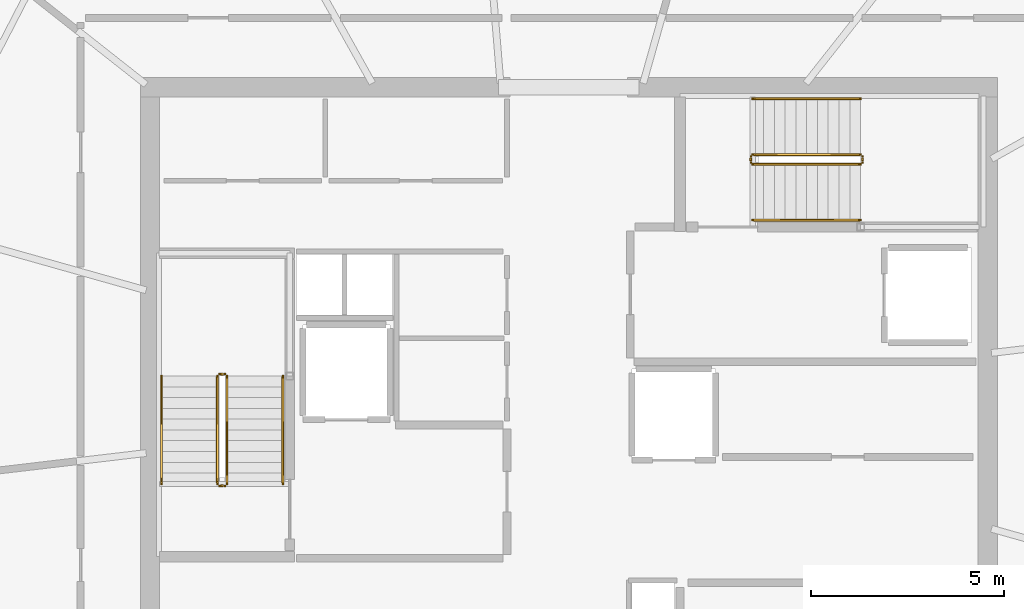
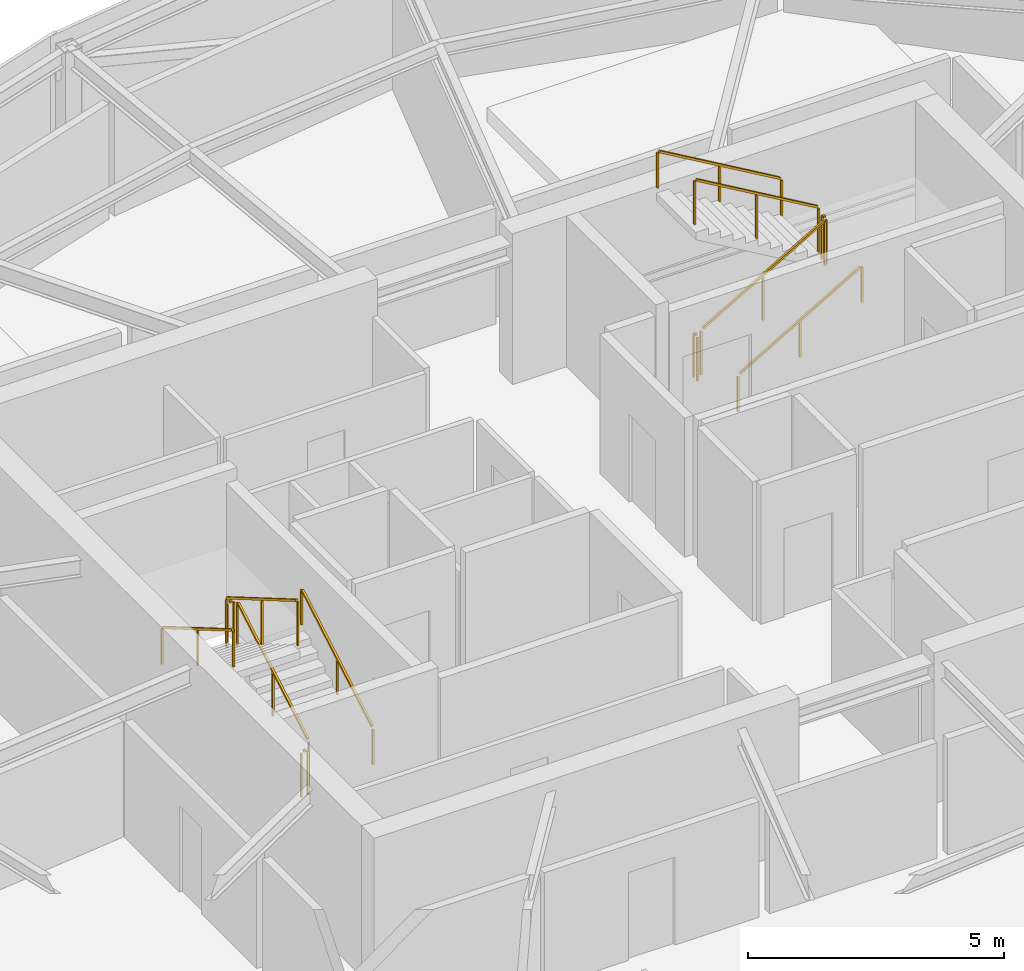
# One storey, part 10 of 10: 12 railings.
"""IFC4 building model written with IfcOpenShell, lengths in metres."""

from ifc_helpers import new_model, si_unit, direction, frame, origin, origin_2d, place, context, subcontext, project, spatial, rectangle, extrude, material, type_object, element, save


model = new_model("IFC4")

# Units and contexts
model_context = context("Model", 3, precision=1e-05, world=origin(), true_north=direction((0.0, 1.0)))
body_context = subcontext(model_context, "Body", "Model", "MODEL_VIEW")
ifc_project = project(units=[si_unit("LENGTHUNIT", "METRE"), si_unit("AREAUNIT", "SQUARE_METRE"), si_unit("VOLUMEUNIT", "CUBIC_METRE"), si_unit("PLANEANGLEUNIT", "RADIAN"), si_unit("MASSUNIT", "GRAM", prefix="KILO")], contexts=[model_context])

# Site, building, storey
site_placement = place(None, origin())
site = spatial("IfcSite", under=ifc_project, at=site_placement, CompositionType="ELEMENT")
building_placement = place(site_placement, origin())
building = spatial("IfcBuilding", under=site, at=building_placement, Name="Kazma Halo Residences", CompositionType="ELEMENT")
storey_placement = place(building_placement, frame((0.0, 0.0, 366.800048828125)))
storey = spatial("IfcBuildingStorey", under=building, at=storey_placement, Name="L92", CompositionType="ELEMENT", Elevation=366.800048828125)

# Railings
ifc_material_1 = material(Name="Painted Steel S355", Category="steel")
railing_type_1 = type_object("IfcRailingType", Name="RLG-STAIR-GRD-1100", PredefinedType="GUARDRAIL", material=ifc_material_1)
railing_1_placement = place(storey_placement, frame((39.550048828125, 39.949951171875, 0.16357421875)))
element("IfcRailing", 1, at=railing_1_placement, inside=storey, type_object=railing_type_1, Name="L92 ST-01 stair guard 1", PredefinedType="GUARDRAIL", context=body_context, shape_type="SweptSolid", body=[
    extrude(rectangle(XDim=0.050048828125, YDim=0.050048828125, at=origin_2d()), frame((0.0, 0.03662109375, 1.096435546875), z_axis=(0.0, 0.863360870873, 0.504586966384), x_axis=(-1.0, 0.0, 0.0)), (0.0, 0.0, 1.0), 3.158203125),
    extrude(rectangle(XDim=0.0400390625, YDim=0.0400390625, at=origin_2d()), origin(), (0.0, 0.0, 1.0), 1.0380859375),
    extrude(rectangle(XDim=0.0400390625, YDim=0.0400390625, at=origin_2d()), frame((0.0, 1.39990234375, 0.818359375)), (0.0, 0.0, 1.0), 1.0380859375),
    extrude(rectangle(XDim=0.0400390625, YDim=0.0400390625, at=origin_2d()), frame((0.0, 2.800048828125, 1.636474609375)), (0.0, 0.0, 1.0), 1.0380859375),
])
railing_2_placement = place(storey_placement, frame((39.5, 42.800048828125, 1.800048828125)))
element("IfcRailing", 2, at=railing_2_placement, inside=storey, type_object=railing_type_1, Name="L92 ST-01 stair guard 2", PredefinedType="GUARDRAIL", context=body_context, shape_type="SweptSolid", body=[
    extrude(rectangle(XDim=0.050048828125, YDim=0.050048828125, at=origin_2d()), frame((-0.04248046875, 0.0, 1.0751953125), z_axis=(-1.0, 0.0, 0.0), x_axis=(0.0, -1.0, 0.0)), (0.0, 0.0, 1.0), 0.06494140625),
    extrude(rectangle(XDim=0.0400390625, YDim=0.0400390625, at=origin_2d()), origin(), (0.0, 0.0, 1.0), 1.0380859375),
    extrude(rectangle(XDim=0.0400390625, YDim=0.0400390625, at=origin_2d()), frame((-0.14990234375, 0.0, 0.0)), (0.0, 0.0, 1.0), 1.0380859375),
])
railing_3_placement = place(storey_placement, frame((39.300048828125, 42.75, 1.963623046875)))
element("IfcRailing", 3, at=railing_3_placement, inside=storey, type_object=railing_type_1, Name="L92 ST-01 stair guard 3", PredefinedType="GUARDRAIL", context=body_context, shape_type="SweptSolid", body=[
    extrude(rectangle(XDim=0.050048828125, YDim=0.050048828125, at=origin_2d()), frame((0.0, -0.03662109375, 1.096435546875), z_axis=(0.0, -0.863393664356, 0.504530851732), x_axis=(1.0, 0.0, 0.0)), (0.0, 0.0, 1.0), 3.157958984375),
    extrude(rectangle(XDim=0.0400390625, YDim=0.0400390625, at=origin_2d()), origin(), (0.0, 0.0, 1.0), 1.0380859375),
    extrude(rectangle(XDim=0.0400390625, YDim=0.0400390625, at=origin_2d()), frame((0.0, -1.39990234375, 0.818115234375)), (0.0, 0.0, 1.0), 1.0380859375),
    extrude(rectangle(XDim=0.0400390625, YDim=0.0400390625, at=origin_2d()), frame((0.0, -2.800048828125, 1.63623046875)), (0.0, 0.0, 1.0), 1.0380859375),
])
railing_4_placement = place(storey_placement, frame((39.5, 39.89990234375, 0.0)))
element("IfcRailing", 4, at=railing_4_placement, inside=storey, type_object=railing_type_1, Name="L92 ST-01 stair guard 4", PredefinedType="GUARDRAIL", context=body_context, shape_type="SweptSolid", body=[
    extrude(rectangle(XDim=0.050048828125, YDim=0.050048828125, at=origin_2d()), frame((-0.04248046875, 0.0, 1.0751953125), z_axis=(-1.0, 0.0, 0.0), x_axis=(0.0, -1.0, 0.0)), (0.0, 0.0, 1.0), 0.06494140625),
    extrude(rectangle(XDim=0.0400390625, YDim=0.0400390625, at=origin_2d()), origin(), (0.0, 0.0, 1.0), 1.0380859375),
    extrude(rectangle(XDim=0.0400390625, YDim=0.0400390625, at=origin_2d()), frame((-0.14990234375, 0.0, 0.0)), (0.0, 0.0, 1.0), 1.0380859375),
])
railing_5_placement = place(storey_placement, frame((53.199951171875, 48.25, 0.16357421875)))
element("IfcRailing", 5, at=railing_5_placement, inside=storey, type_object=railing_type_1, Name="L92 ST-02 stair guard 1", PredefinedType="GUARDRAIL", context=body_context, shape_type="SweptSolid", body=[
    extrude(rectangle(XDim=0.050048828125, YDim=0.050048828125, at=origin_2d()), frame((0.03662109375, 0.0, 1.096435546875), z_axis=(0.863360870873, 0.0, 0.504586966384), x_axis=(0.0, 1.0, 0.0)), (0.0, 0.0, 1.0), 3.158203125),
    extrude(rectangle(XDim=0.0400390625, YDim=0.0400390625, at=origin_2d()), origin(), (0.0, 0.0, 1.0), 1.0380859375),
    extrude(rectangle(XDim=0.0400390625, YDim=0.0400390625, at=origin_2d()), frame((1.39990234375, 0.0, 0.818359375)), (0.0, 0.0, 1.0), 1.0380859375),
    extrude(rectangle(XDim=0.0400390625, YDim=0.0400390625, at=origin_2d()), frame((2.800048828125, 0.0, 1.636474609375)), (0.0, 0.0, 1.0), 1.0380859375),
])
railing_6_placement = place(storey_placement, frame((56.050048828125, 48.300048828125, 1.800048828125)))
element("IfcRailing", 6, at=railing_6_placement, inside=storey, type_object=railing_type_1, Name="L92 ST-02 stair guard 2", PredefinedType="GUARDRAIL", context=body_context, shape_type="SweptSolid", body=[
    extrude(rectangle(XDim=0.050048828125, YDim=0.050048828125, at=origin_2d()), frame((0.0, 0.04248046875, 1.0751953125), z_axis=(0.0, 1.0, 0.0), x_axis=(-1.0, 0.0, 0.0)), (0.0, 0.0, 1.0), 0.06494140625),
    extrude(rectangle(XDim=0.0400390625, YDim=0.0400390625, at=origin_2d()), origin(), (0.0, 0.0, 1.0), 1.0380859375),
    extrude(rectangle(XDim=0.0400390625, YDim=0.0400390625, at=origin_2d()), frame((0.0, 0.14990234375, 0.0)), (0.0, 0.0, 1.0), 1.0380859375),
])
railing_7_placement = place(storey_placement, frame((56.0, 48.5, 1.963623046875)))
element("IfcRailing", 7, at=railing_7_placement, inside=storey, type_object=railing_type_1, Name="L92 ST-02 stair guard 3", PredefinedType="GUARDRAIL", context=body_context, shape_type="SweptSolid", body=[
    extrude(rectangle(XDim=0.050048828125, YDim=0.050048828125, at=origin_2d()), frame((-0.03662109375, 0.0, 1.096435546875), z_axis=(-0.863393664356, 0.0, 0.504530851732), x_axis=(0.0, -1.0, 0.0)), (0.0, 0.0, 1.0), 3.157958984375),
    extrude(rectangle(XDim=0.0400390625, YDim=0.0400390625, at=origin_2d()), origin(), (0.0, 0.0, 1.0), 1.0380859375),
    extrude(rectangle(XDim=0.0400390625, YDim=0.0400390625, at=origin_2d()), frame((-1.39990234375, 0.0, 0.818115234375)), (0.0, 0.0, 1.0), 1.0380859375),
    extrude(rectangle(XDim=0.0400390625, YDim=0.0400390625, at=origin_2d()), frame((-2.800048828125, 0.0, 1.63623046875)), (0.0, 0.0, 1.0), 1.0380859375),
])
railing_8_placement = place(storey_placement, frame((53.14990234375, 48.300048828125, 0.0)))
element("IfcRailing", 8, at=railing_8_placement, inside=storey, type_object=railing_type_1, Name="L92 ST-02 stair guard 4", PredefinedType="GUARDRAIL", context=body_context, shape_type="SweptSolid", body=[
    extrude(rectangle(XDim=0.050048828125, YDim=0.050048828125, at=origin_2d()), frame((0.0, 0.04248046875, 1.0751953125), z_axis=(0.0, 1.0, 0.0), x_axis=(-1.0, 0.0, 0.0)), (0.0, 0.0, 1.0), 0.06494140625),
    extrude(rectangle(XDim=0.0400390625, YDim=0.0400390625, at=origin_2d()), origin(), (0.0, 0.0, 1.0), 1.0380859375),
    extrude(rectangle(XDim=0.0400390625, YDim=0.0400390625, at=origin_2d()), frame((0.0, 0.14990234375, 0.0)), (0.0, 0.0, 1.0), 1.0380859375),
])
ifc_material_2 = material(Name="Brushed Stainless Steel", Category="steel")
railing_type_2 = type_object("IfcRailingType", Name="RLG-STAIR-HND-900", PredefinedType="HANDRAIL", material=ifc_material_2)
railing_9_placement = place(storey_placement, frame((41.0, 39.949951171875, 0.16357421875)))
element("IfcRailing", 9, at=railing_9_placement, inside=storey, type_object=railing_type_2, Name="L92 ST-01 stair handrail 1", PredefinedType="HANDRAIL", context=body_context, shape_type="SweptSolid", body=[
    extrude(rectangle(XDim=0.050048828125, YDim=0.050048828125, at=origin_2d()), frame((0.0, 0.03662109375, 0.896240234375), z_axis=(0.0, 0.863360870873, 0.504586966384), x_axis=(-1.0, 0.0, 0.0)), (0.0, 0.0, 1.0), 3.158203125),
    extrude(rectangle(XDim=0.0400390625, YDim=0.0400390625, at=origin_2d()), origin(), (0.0, 0.0, 1.0), 0.837890625),
    extrude(rectangle(XDim=0.0400390625, YDim=0.0400390625, at=origin_2d()), frame((0.0, 1.39990234375, 0.818359375)), (0.0, 0.0, 1.0), 0.837890625),
    extrude(rectangle(XDim=0.0400390625, YDim=0.0400390625, at=origin_2d()), frame((0.0, 2.800048828125, 1.636474609375)), (0.0, 0.0, 1.0), 0.837890625),
])
railing_10_placement = place(storey_placement, frame((37.85009765625, 42.75, 1.963623046875)))
element("IfcRailing", 10, at=railing_10_placement, inside=storey, type_object=railing_type_2, Name="L92 ST-01 stair handrail 2", PredefinedType="HANDRAIL", context=body_context, shape_type="SweptSolid", body=[
    extrude(rectangle(XDim=0.050048828125, YDim=0.050048828125, at=origin_2d()), frame((0.0, -0.03662109375, 0.896240234375), z_axis=(0.0, -0.863393664356, 0.504530851732), x_axis=(1.0, 0.0, 0.0)), (0.0, 0.0, 1.0), 3.157958984375),
    extrude(rectangle(XDim=0.0400390625, YDim=0.0400390625, at=origin_2d()), origin(), (0.0, 0.0, 1.0), 0.837890625),
    extrude(rectangle(XDim=0.0400390625, YDim=0.0400390625, at=origin_2d()), frame((0.0, -1.39990234375, 0.818115234375)), (0.0, 0.0, 1.0), 0.837890625),
    extrude(rectangle(XDim=0.0400390625, YDim=0.0400390625, at=origin_2d()), frame((0.0, -2.800048828125, 1.63623046875)), (0.0, 0.0, 1.0), 0.837890625),
])
railing_11_placement = place(storey_placement, frame((53.199951171875, 46.800048828125, 0.16357421875)))
element("IfcRailing", 11, at=railing_11_placement, inside=storey, type_object=railing_type_2, Name="L92 ST-02 stair handrail 1", PredefinedType="HANDRAIL", context=body_context, shape_type="SweptSolid", body=[
    extrude(rectangle(XDim=0.050048828125, YDim=0.050048828125, at=origin_2d()), frame((0.03662109375, 0.0, 0.896240234375), z_axis=(0.863360870873, 0.0, 0.504586966384), x_axis=(0.0, 1.0, 0.0)), (0.0, 0.0, 1.0), 3.158203125),
    extrude(rectangle(XDim=0.0400390625, YDim=0.0400390625, at=origin_2d()), origin(), (0.0, 0.0, 1.0), 0.837890625),
    extrude(rectangle(XDim=0.0400390625, YDim=0.0400390625, at=origin_2d()), frame((1.39990234375, 0.0, 0.818359375)), (0.0, 0.0, 1.0), 0.837890625),
    extrude(rectangle(XDim=0.0400390625, YDim=0.0400390625, at=origin_2d()), frame((2.800048828125, 0.0, 1.636474609375)), (0.0, 0.0, 1.0), 0.837890625),
])
railing_12_placement = place(storey_placement, frame((56.0, 49.949951171875, 1.963623046875)))
element("IfcRailing", 12, at=railing_12_placement, inside=storey, type_object=railing_type_2, Name="L92 ST-02 stair handrail 2", PredefinedType="HANDRAIL", context=body_context, shape_type="SweptSolid", body=[
    extrude(rectangle(XDim=0.050048828125, YDim=0.050048828125, at=origin_2d()), frame((-0.03662109375, 0.0, 0.896240234375), z_axis=(-0.863393664356, 0.0, 0.504530851732), x_axis=(0.0, -1.0, 0.0)), (0.0, 0.0, 1.0), 3.157958984375),
    extrude(rectangle(XDim=0.0400390625, YDim=0.0400390625, at=origin_2d()), origin(), (0.0, 0.0, 1.0), 0.837890625),
    extrude(rectangle(XDim=0.0400390625, YDim=0.0400390625, at=origin_2d()), frame((-1.39990234375, 0.0, 0.818115234375)), (0.0, 0.0, 1.0), 0.837890625),
    extrude(rectangle(XDim=0.0400390625, YDim=0.0400390625, at=origin_2d()), frame((-2.800048828125, 0.0, 1.63623046875)), (0.0, 0.0, 1.0), 0.837890625),
])

save(model, "model.ifc")
